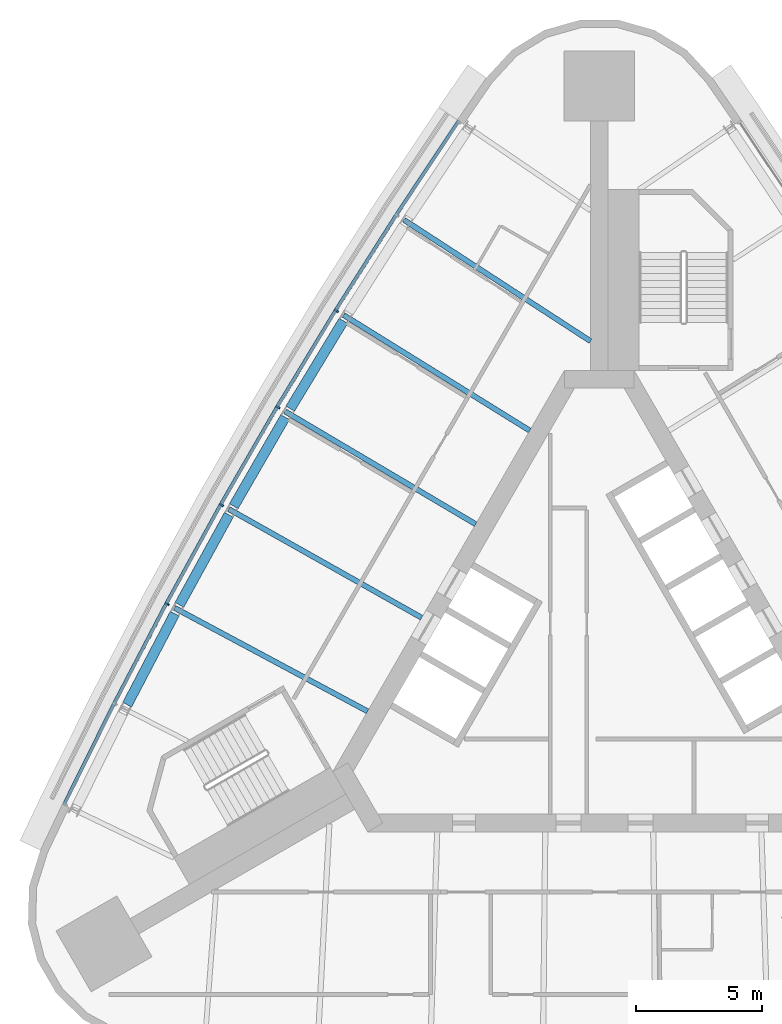
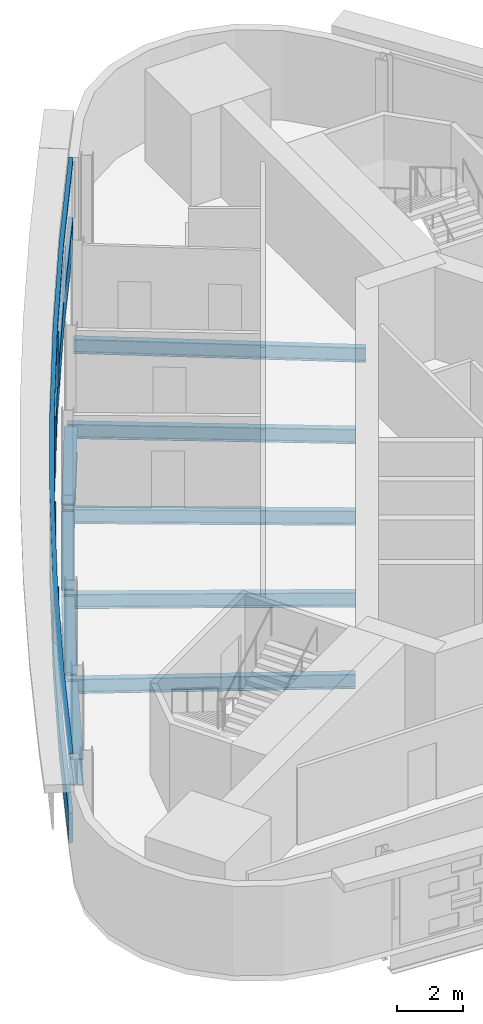
# One storey, part 5 of 15: 9 beams, 6 members, 1 element without a shape of its own.
"""IFC4 building model written with IfcOpenShell, lengths in metres."""

from ifc_helpers import new_model, si_unit, direction, frame, origin, origin_2d, place, context, subcontext, project, spatial, polyline, rectangle, i_section, outline, extrude, material, material_profile, profile_set, type_object, element, aggregate, save


model = new_model("IFC4")

# Units and contexts
model_context = context("Model", 3, precision=1e-05, world=origin(), true_north=direction((0.0, 1.0)))
body_context = subcontext(model_context, "Body", "Model", "MODEL_VIEW")
ifc_project = project(units=[si_unit("LENGTHUNIT", "METRE"), si_unit("AREAUNIT", "SQUARE_METRE"), si_unit("VOLUMEUNIT", "CUBIC_METRE"), si_unit("PLANEANGLEUNIT", "RADIAN"), si_unit("MASSUNIT", "GRAM", prefix="KILO")], contexts=[model_context])

# Site, building, storey
site_placement = place(None, origin())
site = spatial("IfcSite", under=ifc_project, at=site_placement, CompositionType="ELEMENT")
building_placement = place(site_placement, origin())
building = spatial("IfcBuilding", under=site, at=building_placement, Name="Noor Cloister Tower", CompositionType="ELEMENT")
storey_placement = place(building_placement, frame((0.0, 0.0, 174.300048828125)))
storey = spatial("IfcBuildingStorey", under=building, at=storey_placement, Name="L44", CompositionType="ELEMENT", Elevation=174.300048828125)

# Beams
ifc_material_1 = material(Name="Steel ASTM A992 Gr 50", Category="steel")
ifc_material_profile_1 = material_profile(ifc_material_1, i_section(OverallWidth=0.40087890625, OverallDepth=0.98291015625, WebThickness=0.0166015625, FlangeThickness=0.027099609375, FilletRadius=0.030029296875, at=origin_2d()), Name="W1000x296")
ifc_profile_set_1 = profile_set([ifc_material_profile_1], Name="Steel ASTM A992 Gr 50")
beam_type_1 = type_object("IfcBeamType", Name="Belt chord girder W1000x296", PredefinedType="BEAM", material=ifc_profile_set_1)
beam_1_placement = place(storey_placement, frame((-10.19287109375, 13.43017578125, -0.691650390625), z_axis=(-0.518252817044, -0.85522746543, 0.0), x_axis=(0.85522746543, -0.518252817044, 0.0)))
element("IfcBeam", 1, at=beam_1_placement, inside=storey, type_object=beam_type_1, Name="Spandrel beam NW 03 L44", PredefinedType="BEAM", context=body_context, shape_type="SweptSolid", body=[
    extrude(i_section(OverallWidth=0.40087890625, OverallDepth=0.98291015625, WebThickness=0.0166015625, FlangeThickness=0.027099609375, FilletRadius=0.030029296875, at=origin_2d()), origin(), (0.0, 0.0, 1.0), 4.09423828125),
])
beam_2_placement = place(storey_placement, frame((-12.515380859375, 9.589599609375, -0.691650390625), z_axis=(-0.499980532398, -0.866036643118, 0.0), x_axis=(0.866036643118, -0.499980532398, 0.0)))
element("IfcBeam", 2, at=beam_2_placement, inside=storey, type_object=beam_type_1, Name="Spandrel beam NW 04 L44", PredefinedType="BEAM", context=body_context, shape_type="SweptSolid", body=[
    extrude(i_section(OverallWidth=0.40087890625, OverallDepth=0.98291015625, WebThickness=0.0166015625, FlangeThickness=0.027099609375, FilletRadius=0.030029296875, at=origin_2d()), origin(), (0.0, 0.0, 1.0), 4.094482421875),
])
beam_3_placement = place(storey_placement, frame((-14.755859375, 5.700439453125, -0.691650390625), z_axis=(-0.481536411785, -0.876426085945, 0.0), x_axis=(0.876426085945, -0.481536411785, 0.0)))
element("IfcBeam", 3, at=beam_3_placement, inside=storey, type_object=beam_type_1, Name="Spandrel beam NW 05 L44", PredefinedType="BEAM", context=body_context, shape_type="SweptSolid", body=[
    extrude(i_section(OverallWidth=0.40087890625, OverallDepth=0.98291015625, WebThickness=0.0166015625, FlangeThickness=0.027099609375, FilletRadius=0.030029296875, at=origin_2d()), origin(), (0.0, 0.0, 1.0), 4.093994140625),
])
beam_4_placement = place(storey_placement, frame((-16.913330078125, 1.764892578125, -0.691650390625), z_axis=(-0.462910374698, -0.886405090801, 0.0), x_axis=(0.886405090801, -0.462910374698, 0.0)))
element("IfcBeam", 4, at=beam_4_placement, inside=storey, type_object=beam_type_1, Name="Spandrel beam NW 06 L44", PredefinedType="BEAM", context=body_context, shape_type="SweptSolid", body=[
    extrude(i_section(OverallWidth=0.40087890625, OverallDepth=0.98291015625, WebThickness=0.0166015625, FlangeThickness=0.027099609375, FilletRadius=0.030029296875, at=origin_2d()), origin(), (0.0, 0.0, 1.0), 4.09423828125),
])

# Curtain wall, members
ifc_material_2 = material(Name="Aluminium 6063-T6 anodised", Category="aluminium")
curtain_wall_type = type_object("IfcCurtainWallType", Name="Ribbon curtain wall, upper tower CW5", PredefinedType="NOTDEFINED", material=ifc_material_2)
curtain_wall_placement = place(storey_placement, origin())
curtain_wall = element("IfcCurtainWall", 5, at=curtain_wall_placement, inside=storey, type_object=curtain_wall_type, Name="CW5 L44 NW run 1", PredefinedType="NOTDEFINED")
ifc_material_3 = material(Name="Aluminium 6063-T6 anodised", Category="aluminium")
member_type_1 = type_object("IfcMemberType", Name="Head transom CW5 150", PredefinedType="USERDEFINED", material=ifc_material_3)
member_1_placement = place(storey_placement, frame((0.0, 0.0, 3.14990234375)))
member_1 = element("IfcMember", 6, at=member_1_placement, type_object=member_type_1, Name="CW5 head transom", ObjectType="TRANSOM", PredefinedType="USERDEFINED", context=body_context, shape_type="SweptSolid", body=[
    extrude(outline(polyline([(-5.65234375, 21.43310546875), (-8.145263671875, 17.68701171875), (-10.55810546875, 13.888671875), (-12.89013671875, 10.0400390625), (-15.14013671875, 6.14306640625), (-17.30712890625, 2.19921875), (-19.389892578125, -1.78955078125), (-21.387939453125, -5.821533203125), (-21.262451171875, -5.8837890625), (-19.26513671875, -1.85302734375), (-17.18359375, 2.133056640625), (-15.01806640625, 6.074462890625), (-12.76953125, 9.96875), (-10.439208984375, 13.81494140625), (-8.02783203125, 17.610595703125), (-5.53564453125, 21.355712890625), (-5.65234375, 21.43310546875)])), origin(), (0.0, 0.0, 1.0), 0.150146484375),
])
ifc_material_4 = material(Name="Aluminium 6063-T6 anodised", Category="aluminium")
ifc_material_profile_2 = material_profile(ifc_material_4, rectangle(XDim=0.179931640625, YDim=0.070068359375, at=origin_2d()), Name="180 x 70 mullion")
ifc_profile_set_2 = profile_set([ifc_material_profile_2], Name="Aluminium 6063-T6 anodised")
member_type_2 = type_object("IfcMemberType", Name="Mullion CW5 70 x 180", PredefinedType="MULLION", material=ifc_profile_set_2)
member_2_placement = place(storey_placement, frame((-10.47314453125, 13.8359375, 1.099853515625), z_axis=(0.0, 0.0, 1.0), x_axis=(0.849704797145, -0.527258719899, 0.0)))
member_2 = element("IfcMember", 7, at=member_2_placement, type_object=member_type_2, Name="CW5 mullion 3", PredefinedType="MULLION", context=body_context, shape_type="SweptSolid", body=[
    extrude(rectangle(XDim=0.179931640625, YDim=0.070068359375, at=origin_2d()), origin(), (0.0, 0.0, 1.0), 2.050048828125),
])
member_3_placement = place(storey_placement, frame((-12.803955078125, 9.9892578125, 1.099853515625), z_axis=(0.0, 0.0, 1.0), x_axis=(0.860681535601, -0.509143687259, 0.0)))
member_3 = element("IfcMember", 8, at=member_3_placement, type_object=member_type_2, Name="CW5 mullion 4", PredefinedType="MULLION", context=body_context, shape_type="SweptSolid", body=[
    extrude(rectangle(XDim=0.179931640625, YDim=0.070068359375, at=origin_2d()), origin(), (0.0, 0.0, 1.0), 2.050048828125),
])
member_4_placement = place(storey_placement, frame((-15.052978515625, 6.093994140625, 1.099853515625), z_axis=(0.0, 0.0, 1.0), x_axis=(0.871272135143, -0.490800230769, 0.0)))
member_4 = element("IfcMember", 9, at=member_4_placement, type_object=member_type_2, Name="CW5 mullion 5", PredefinedType="MULLION", context=body_context, shape_type="SweptSolid", body=[
    extrude(rectangle(XDim=0.179931640625, YDim=0.070068359375, at=origin_2d()), origin(), (0.0, 0.0, 1.0), 2.050048828125),
])
member_5_placement = place(storey_placement, frame((-17.21875, 2.152099609375, 1.099853515625), z_axis=(0.0, 0.0, 1.0), x_axis=(0.881471844372, -0.472236580095, 0.0)))
member_5 = element("IfcMember", 10, at=member_5_placement, type_object=member_type_2, Name="CW5 mullion 6", PredefinedType="MULLION", context=body_context, shape_type="SweptSolid", body=[
    extrude(rectangle(XDim=0.179931640625, YDim=0.070068359375, at=origin_2d()), origin(), (0.0, 0.0, 1.0), 2.050048828125),
])

# Beams
ifc_material_5 = material(Name="Steel ASTM A992 Gr 50", Category="steel")
ifc_material_profile_3 = material_profile(ifc_material_5, i_section(OverallWidth=0.208984375, OverallDepth=0.532958984375, WebThickness=0.01025390625, FlangeThickness=0.015625, FilletRadius=0.0126953125, at=origin_2d()), Name="W530x92")
ifc_profile_set_3 = profile_set([ifc_material_profile_3], Name="Steel ASTM A992 Gr 50")
beam_type_2 = type_object("IfcBeamType", Name="Radial beam W530x92", PredefinedType="BEAM", material=ifc_profile_set_3)
beam_5_placement = place(storey_placement, frame((-7.778076171875, 17.4482421875, -0.466552734375), z_axis=(0.838346024054, -0.545138463102, 0.0), x_axis=(0.545138463102, 0.838346024054, 0.0)))
element("IfcBeam", 11, at=beam_5_placement, inside=storey, type_object=beam_type_2, Name="Radial beam NW 02 L44", PredefinedType="BEAM", context=body_context, shape_type="SweptSolid", body=[
    extrude(i_section(OverallWidth=0.208984375, OverallDepth=0.532958984375, WebThickness=0.01025390625, FlangeThickness=0.015625, FilletRadius=0.0126953125, at=origin_2d()), origin(), (0.0, 0.0, 1.0), 8.8603515625),
])
beam_6_placement = place(storey_placement, frame((-10.18603515625, 13.65771484375, -0.466552734375), z_axis=(0.849702407051, -0.52726257164, 0.0), x_axis=(0.52726257164, 0.849702407051, 0.0)))
element("IfcBeam", 12, at=beam_6_placement, inside=storey, type_object=beam_type_2, Name="Radial beam NW 03 L44", PredefinedType="BEAM", context=body_context, shape_type="SweptSolid", body=[
    extrude(i_section(OverallWidth=0.208984375, OverallDepth=0.532958984375, WebThickness=0.01025390625, FlangeThickness=0.015625, FilletRadius=0.0126953125, at=origin_2d()), origin(), (0.0, 0.0, 1.0), 8.726318359375),
])
for number, where, z_axis, x_axis, name in (
    (13, (-12.51318359375, 9.817138671875, -0.466552734375), (0.860676725075, -0.509151819122, 0.0), (0.509151819122, 0.860676725075, 0.0), "Radial beam NW 04 L44"),
    (14, (-14.758544921875, 5.92822265625, -0.466552734375), (0.871276643903, -0.490792226701, 0.0), (0.490792226701, 0.871276643903, 0.0), "Radial beam NW 05 L44"),
):
    element("IfcBeam", number, at=place(storey_placement, frame(where, z_axis=z_axis, x_axis=x_axis)), inside=storey, type_object=beam_type_2, Name=name, PredefinedType="BEAM", context=body_context, shape_type="SweptSolid", body=[
        extrude(i_section(OverallWidth=0.208984375, OverallDepth=0.532958984375, WebThickness=0.01025390625, FlangeThickness=0.015625, FilletRadius=0.0126953125, at=origin_2d()), origin(), (0.0, 0.0, 1.0), 8.817626953125),
    ])
beam_7_placement = place(storey_placement, frame((-16.9208984375, 1.992431640625, -0.466552734375), z_axis=(0.881477058611, -0.472226847122, 0.0), x_axis=(0.472226847122, 0.881477058611, 0.0)))
element("IfcBeam", 15, at=beam_7_placement, inside=storey, type_object=beam_type_2, Name="Radial beam NW 06 L44", PredefinedType="BEAM", context=body_context, shape_type="SweptSolid", body=[
    extrude(i_section(OverallWidth=0.208984375, OverallDepth=0.532958984375, WebThickness=0.01025390625, FlangeThickness=0.015625, FilletRadius=0.0126953125, at=origin_2d()), origin(), (0.0, 0.0, 1.0), 8.726318359375),
])

# Member
ifc_material_6 = material(Name="Aluminium 6063-T6 anodised", Category="aluminium")
member_type_3 = type_object("IfcMemberType", Name="Sill transom CW5 1100", PredefinedType="USERDEFINED", material=ifc_material_6)
member_6_placement = place(storey_placement, origin())
member_6 = element("IfcMember", 16, at=member_6_placement, type_object=member_type_3, Name="CW5 sill transom", ObjectType="TRANSOM", PredefinedType="USERDEFINED", context=body_context, shape_type="SweptSolid", body=[
    extrude(outline(polyline([(-5.65234375, 21.43310546875), (-8.145263671875, 17.68701171875), (-10.55810546875, 13.888671875), (-12.89013671875, 10.0400390625), (-15.14013671875, 6.14306640625), (-17.30712890625, 2.19921875), (-19.389892578125, -1.78955078125), (-21.387939453125, -5.821533203125), (-21.262451171875, -5.8837890625), (-19.26513671875, -1.85302734375), (-17.18359375, 2.133056640625), (-15.01806640625, 6.074462890625), (-12.76953125, 9.96875), (-10.439208984375, 13.81494140625), (-8.02783203125, 17.610595703125), (-5.53564453125, 21.355712890625), (-5.65234375, 21.43310546875)])), origin(), (0.0, 0.0, 1.0), 1.099853515625),
])

aggregate(curtain_wall, [member_2, member_3, member_4, member_5, member_6, member_1])

save(model, "model.ifc")
